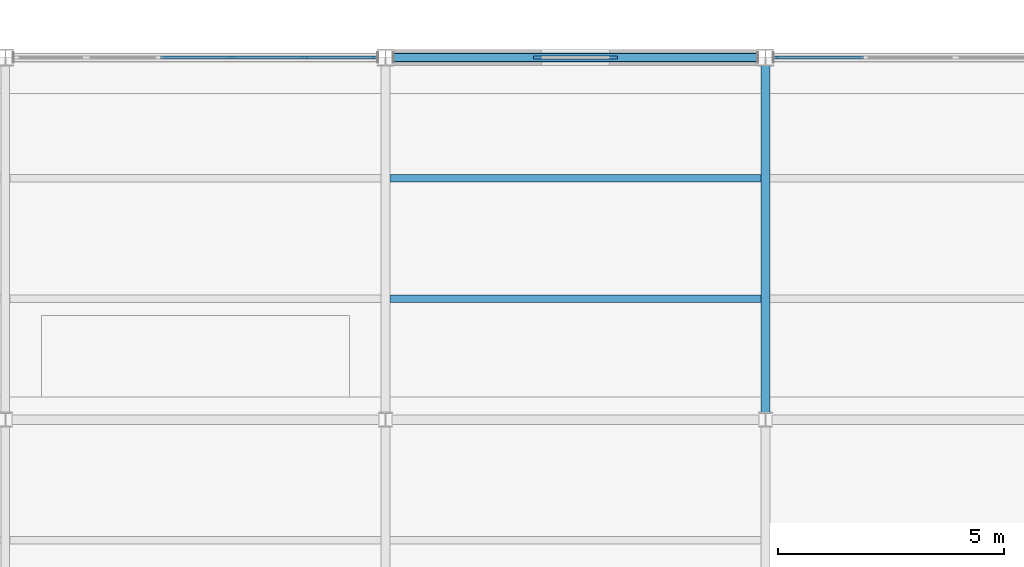
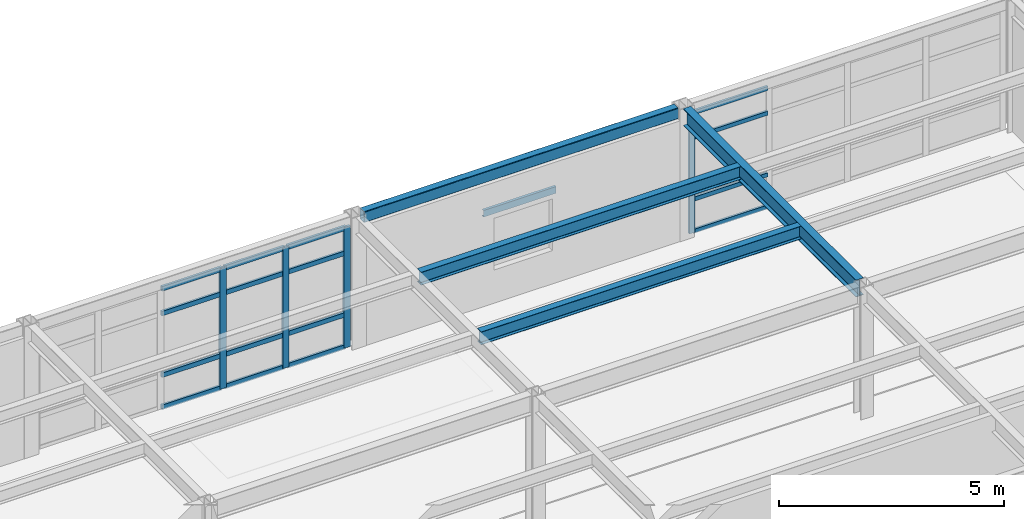
# One storey, part 29 of 96: 20 members, 5 beams, 2 elements without a shape of their own.
"""IFC4 building model written with IfcOpenShell, lengths in metres."""

from ifc_helpers import new_model, si_unit, direction, frame, origin, origin_2d, place, context, subcontext, project, spatial, rectangle, hollow_rectangle, i_section, u_section, extrude, material, layer, layer_set, material_profile, profile_set, type_object, element, aggregate, save


model = new_model("IFC4")

# Units and contexts
model_context = context("Model", 3, precision=1e-05, world=origin(), true_north=direction((0.0, 1.0)))
body_context = subcontext(model_context, "Body", "Model", "MODEL_VIEW")
ifc_project = project(units=[si_unit("LENGTHUNIT", "METRE"), si_unit("AREAUNIT", "SQUARE_METRE"), si_unit("VOLUMEUNIT", "CUBIC_METRE"), si_unit("PLANEANGLEUNIT", "RADIAN"), si_unit("MASSUNIT", "GRAM", prefix="KILO")], contexts=[model_context])

# Site, building, storey
site_placement = place(None, origin())
site = spatial("IfcSite", under=ifc_project, at=site_placement, CompositionType="ELEMENT")
building_placement = place(site_placement, origin())
building = spatial("IfcBuilding", under=site, at=building_placement, Name="Kranzveld Transit Interchange", CompositionType="ELEMENT")
storey_placement = place(building_placement, frame((0.0, 0.0, 9.52001953125)))
storey = spatial("IfcBuildingStorey", under=building, at=storey_placement, Name="L02", CompositionType="ELEMENT", Elevation=9.52001953125)

# Beam
ifc_material_1 = material(Name="Steel S355JR", Category="steel")
ifc_material_profile_1 = material_profile(ifc_material_1, i_section(OverallWidth=0.19189453125, OverallDepth=0.46337890625, WebThickness=0.010498046875, FlangeThickness=0.017578125, FilletRadius=0.01025390625, at=origin_2d()), Name="UB 457x191x89")
ifc_profile_set_1 = profile_set([ifc_material_profile_1], Name="Steel S355JR")
beam_type_1 = type_object("IfcBeamType", Name="Beam Steel UB 457x191x89 S355JR", PredefinedType="BEAM", material=ifc_profile_set_1)
beam_1_placement = place(storey_placement, frame((126.0, 104.159912109375, 3.33837890625), z_axis=(0.0, 1.0, 0.0), x_axis=(-1.0, 0.0, 0.0)))
element("IfcBeam", 1, at=beam_1_placement, inside=storey, type_object=beam_type_1, Name="L02 Girder 16/P-Q", PredefinedType="BEAM", context=body_context, shape_type="SweptSolid", body=[
    extrude(i_section(OverallWidth=0.19189453125, OverallDepth=0.46337890625, WebThickness=0.010498046875, FlangeThickness=0.017578125, FilletRadius=0.01025390625, at=origin_2d()), origin(), (0.0, 0.0, 1.0), 7.662841796875),
])

# Curtain wall, member
ifc_material_2 = material(Name="Bronze-anodised thermally broken aluminium", Category="aluminium")
ifc_layer_1 = layer(ifc_material_2, 0.159912109375)
ifc_layer_set_1 = layer_set([ifc_layer_1], Name="Bronze-anodised thermally broken aluminium")
curtain_wall_type_1 = type_object("IfcCurtainWallType", Name="Bus Boarding Glazed Screen CW-3", PredefinedType="USERDEFINED", material=ifc_layer_set_1)
curtain_wall_1_placement = place(storey_placement, origin())
curtain_wall_1 = element("IfcCurtainWall", 2, at=curtain_wall_1_placement, inside=storey, type_object=curtain_wall_type_1, Name="L02 Curtain Wall 16/Q-17/Q", ObjectType="CURTAIN WALL", PredefinedType="USERDEFINED")
ifc_material_3 = material(Name="Bronze-anodised thermally broken aluminium", Category="aluminium")
ifc_material_profile_2 = material_profile(ifc_material_3, rectangle(XDim=0.06005859375, YDim=0.14990234375, at=origin_2d()), Name="ALU MULLION 60x150")
ifc_profile_set_2 = profile_set([ifc_material_profile_2], Name="Bronze-anodised thermally broken aluminium")
member_type_1 = type_object("IfcMemberType", Name="Curtain Wall Mullion 60x150 Alu", PredefinedType="MULLION", material=ifc_profile_set_2)
member_1_placement = place(storey_placement, frame((126.21728515625, 112.0, 0.0), z_axis=(0.0, 0.0, 1.0), x_axis=(0.0, 1.0, 0.0)))
member_1 = element("IfcMember", 3, at=member_1_placement, type_object=member_type_1, Name="CW-3 mullion 1", PredefinedType="MULLION", context=body_context, shape_type="SweptSolid", body=[
    extrude(rectangle(XDim=0.06005859375, YDim=0.14990234375, at=origin_2d()), origin(), (0.0, 0.0, 1.0), 3.27001953125),
])

# Curtain wall, members
ifc_material_4 = material(Name="Bronze-anodised thermally broken aluminium", Category="aluminium")
ifc_layer_2 = layer(ifc_material_4, 0.1650390625)
ifc_layer_set_2 = layer_set([ifc_layer_2], Name="Bronze-anodised thermally broken aluminium")
curtain_wall_type_2 = type_object("IfcCurtainWallType", Name="Sunny Court Arcade Curtain Wall CW-2", PredefinedType="USERDEFINED", material=ifc_layer_set_2)
curtain_wall_2_placement = place(storey_placement, origin())
curtain_wall_2 = element("IfcCurtainWall", 4, at=curtain_wall_2_placement, inside=storey, type_object=curtain_wall_type_2, Name="L02 Curtain Wall 14/Q-15/Q", ObjectType="CURTAIN WALL", PredefinedType="USERDEFINED")
ifc_material_5 = material(Name="Bronze-anodised thermally broken aluminium", Category="aluminium")
ifc_material_profile_3 = material_profile(ifc_material_5, rectangle(XDim=0.06494140625, YDim=0.1650390625, at=origin_2d()), Name="ALU MULLION 65x165")
ifc_profile_set_3 = profile_set([ifc_material_profile_3], Name="Bronze-anodised thermally broken aluminium")
member_type_2 = type_object("IfcMemberType", Name="Curtain Wall Mullion 65x165 Alu", PredefinedType="MULLION", material=ifc_profile_set_3)
member_2_placement = place(storey_placement, frame((114.20263671875, 112.0, 0.0), z_axis=(0.0, 0.0, 1.0), x_axis=(0.0, 1.0, 0.0)))
member_2 = element("IfcMember", 5, at=member_2_placement, type_object=member_type_2, Name="CW-2 mullion 4", PredefinedType="MULLION", context=body_context, shape_type="SweptSolid", body=[
    extrude(rectangle(XDim=0.06494140625, YDim=0.1650390625, at=origin_2d()), origin(), (0.0, 0.0, 1.0), 3.27001953125),
])
member_3_placement = place(storey_placement, frame((115.8076171875, 112.0, 0.0), z_axis=(0.0, 0.0, 1.0), x_axis=(0.0, 1.0, 0.0)))
member_3 = element("IfcMember", 6, at=member_3_placement, type_object=member_type_2, Name="CW-2 mullion 5", PredefinedType="MULLION", context=body_context, shape_type="SweptSolid", body=[
    extrude(rectangle(XDim=0.06494140625, YDim=0.1650390625, at=origin_2d()), origin(), (0.0, 0.0, 1.0), 3.27001953125),
])
member_4_placement = place(storey_placement, frame((117.380126953125, 112.0, 0.0), z_axis=(0.0, 0.0, 1.0), x_axis=(0.0, 1.0, 0.0)))
member_4 = element("IfcMember", 7, at=member_4_placement, type_object=member_type_2, Name="CW-2 mullion 6", PredefinedType="MULLION", context=body_context, shape_type="SweptSolid", body=[
    extrude(rectangle(XDim=0.06494140625, YDim=0.1650390625, at=origin_2d()), origin(), (0.0, 0.0, 1.0), 3.27001953125),
])

# Member
ifc_material_6 = material(Name="Bronze-anodised thermally broken aluminium", Category="aluminium")
ifc_material_profile_4 = material_profile(ifc_material_6, rectangle(XDim=0.06005859375, YDim=0.110107421875, at=origin_2d()), Name="ALU TRANSOM 60x110")
ifc_profile_set_4 = profile_set([ifc_material_profile_4], Name="Bronze-anodised thermally broken aluminium")
member_type_3 = type_object("IfcMemberType", Name="Curtain Wall Transom 60x110 Alu", PredefinedType="USERDEFINED", material=ifc_profile_set_4)
member_5_placement = place(storey_placement, frame((126.247314453125, 112.0, 0.030029296875), z_axis=(1.0, 0.0, 0.0), x_axis=(0.0, 1.0, 0.0)))
member_5 = element("IfcMember", 8, at=member_5_placement, type_object=member_type_3, Name="CW-3 transom 1.1", ObjectType="TRANSOM", PredefinedType="USERDEFINED", context=body_context, shape_type="SweptSolid", body=[
    extrude(rectangle(XDim=0.06005859375, YDim=0.110107421875, at=origin_2d()), origin(), (0.0, 0.0, 1.0), 1.916259765625),
])

member_6_placement = place(storey_placement, frame((126.247314453125, 112.0, 0.89990234375), z_axis=(1.0, 0.0, 0.0), x_axis=(0.0, 1.0, 0.0)))
member_6 = element("IfcMember", 9, at=member_6_placement, type_object=member_type_3, Name="CW-3 transom 1.2", ObjectType="TRANSOM", PredefinedType="USERDEFINED", context=body_context, shape_type="SweptSolid", body=[
    extrude(rectangle(XDim=0.06005859375, YDim=0.110107421875, at=origin_2d()), origin(), (0.0, 0.0, 1.0), 1.916259765625),
])

member_7_placement = place(storey_placement, frame((126.247314453125, 112.0, 2.570068359375), z_axis=(1.0, 0.0, 0.0), x_axis=(0.0, 1.0, 0.0)))
member_7 = element("IfcMember", 10, at=member_7_placement, type_object=member_type_3, Name="CW-3 transom 1.3", ObjectType="TRANSOM", PredefinedType="USERDEFINED", context=body_context, shape_type="SweptSolid", body=[
    extrude(rectangle(XDim=0.06005859375, YDim=0.110107421875, at=origin_2d()), origin(), (0.0, 0.0, 1.0), 1.916259765625),
])

member_8_placement = place(storey_placement, frame((126.247314453125, 112.0, 3.239990234375), z_axis=(1.0, 0.0, 0.0), x_axis=(0.0, 1.0, 0.0)))
member_8 = element("IfcMember", 11, at=member_8_placement, type_object=member_type_3, Name="CW-3 transom 1.4", ObjectType="TRANSOM", PredefinedType="USERDEFINED", context=body_context, shape_type="SweptSolid", body=[
    extrude(rectangle(XDim=0.06005859375, YDim=0.110107421875, at=origin_2d()), origin(), (0.0, 0.0, 1.0), 1.916259765625),
])

aggregate(curtain_wall_1, [member_1, member_5, member_6, member_7, member_8])

ifc_material_7 = material(Name="Bronze-anodised thermally broken aluminium", Category="aluminium")
ifc_material_profile_5 = material_profile(ifc_material_7, rectangle(XDim=0.06005859375, YDim=0.125, at=origin_2d()), Name="ALU TRANSOM 60x125")
ifc_profile_set_5 = profile_set([ifc_material_profile_5], Name="Bronze-anodised thermally broken aluminium")
member_type_4 = type_object("IfcMemberType", Name="Curtain Wall Transom 60x125 Alu", PredefinedType="USERDEFINED", material=ifc_profile_set_5)
member_9_placement = place(storey_placement, frame((112.6298828125, 112.0, 0.030029296875), z_axis=(1.0, 0.0, 0.0), x_axis=(0.0, 1.0, 0.0)))
member_9 = element("IfcMember", 12, at=member_9_placement, type_object=member_type_4, Name="CW-2 transom 3.1", ObjectType="TRANSOM", PredefinedType="USERDEFINED", context=body_context, shape_type="SweptSolid", body=[
    extrude(rectangle(XDim=0.06005859375, YDim=0.125, at=origin_2d()), origin(), (0.0, 0.0, 1.0), 1.5400390625),
])

member_10_placement = place(storey_placement, frame((112.6298828125, 112.0, 0.89990234375), z_axis=(1.0, 0.0, 0.0), x_axis=(0.0, 1.0, 0.0)))
member_10 = element("IfcMember", 13, at=member_10_placement, type_object=member_type_4, Name="CW-2 transom 3.2", ObjectType="TRANSOM", PredefinedType="USERDEFINED", context=body_context, shape_type="SweptSolid", body=[
    extrude(rectangle(XDim=0.06005859375, YDim=0.125, at=origin_2d()), origin(), (0.0, 0.0, 1.0), 1.5400390625),
])

member_11_placement = place(storey_placement, frame((112.6298828125, 112.0, 2.570068359375), z_axis=(1.0, 0.0, 0.0), x_axis=(0.0, 1.0, 0.0)))
member_11 = element("IfcMember", 14, at=member_11_placement, type_object=member_type_4, Name="CW-2 transom 3.3", ObjectType="TRANSOM", PredefinedType="USERDEFINED", context=body_context, shape_type="SweptSolid", body=[
    extrude(rectangle(XDim=0.06005859375, YDim=0.125, at=origin_2d()), origin(), (0.0, 0.0, 1.0), 1.5400390625),
])

member_12_placement = place(storey_placement, frame((112.6298828125, 112.0, 3.239990234375), z_axis=(1.0, 0.0, 0.0), x_axis=(0.0, 1.0, 0.0)))
member_12 = element("IfcMember", 15, at=member_12_placement, type_object=member_type_4, Name="CW-2 transom 3.4", ObjectType="TRANSOM", PredefinedType="USERDEFINED", context=body_context, shape_type="SweptSolid", body=[
    extrude(rectangle(XDim=0.06005859375, YDim=0.125, at=origin_2d()), origin(), (0.0, 0.0, 1.0), 1.5400390625),
])

member_13_placement = place(storey_placement, frame((114.235107421875, 112.0, 0.030029296875), z_axis=(1.0, 0.0, 0.0), x_axis=(0.0, 1.0, 0.0)))
member_13 = element("IfcMember", 16, at=member_13_placement, type_object=member_type_4, Name="CW-2 transom 4.1", ObjectType="TRANSOM", PredefinedType="USERDEFINED", context=body_context, shape_type="SweptSolid", body=[
    extrude(rectangle(XDim=0.06005859375, YDim=0.125, at=origin_2d()), origin(), (0.0, 0.0, 1.0), 1.5400390625),
])

member_14_placement = place(storey_placement, frame((114.235107421875, 112.0, 0.89990234375), z_axis=(1.0, 0.0, 0.0), x_axis=(0.0, 1.0, 0.0)))
member_14 = element("IfcMember", 17, at=member_14_placement, type_object=member_type_4, Name="CW-2 transom 4.2", ObjectType="TRANSOM", PredefinedType="USERDEFINED", context=body_context, shape_type="SweptSolid", body=[
    extrude(rectangle(XDim=0.06005859375, YDim=0.125, at=origin_2d()), origin(), (0.0, 0.0, 1.0), 1.5400390625),
])

member_15_placement = place(storey_placement, frame((114.235107421875, 112.0, 2.570068359375), z_axis=(1.0, 0.0, 0.0), x_axis=(0.0, 1.0, 0.0)))
member_15 = element("IfcMember", 18, at=member_15_placement, type_object=member_type_4, Name="CW-2 transom 4.3", ObjectType="TRANSOM", PredefinedType="USERDEFINED", context=body_context, shape_type="SweptSolid", body=[
    extrude(rectangle(XDim=0.06005859375, YDim=0.125, at=origin_2d()), origin(), (0.0, 0.0, 1.0), 1.5400390625),
])

member_16_placement = place(storey_placement, frame((114.235107421875, 112.0, 3.239990234375), z_axis=(1.0, 0.0, 0.0), x_axis=(0.0, 1.0, 0.0)))
member_16 = element("IfcMember", 19, at=member_16_placement, type_object=member_type_4, Name="CW-2 transom 4.4", ObjectType="TRANSOM", PredefinedType="USERDEFINED", context=body_context, shape_type="SweptSolid", body=[
    extrude(rectangle(XDim=0.06005859375, YDim=0.125, at=origin_2d()), origin(), (0.0, 0.0, 1.0), 1.5400390625),
])

member_17_placement = place(storey_placement, frame((115.840087890625, 112.0, 0.030029296875), z_axis=(1.0, 0.0, 0.0), x_axis=(0.0, 1.0, 0.0)))
member_17 = element("IfcMember", 20, at=member_17_placement, type_object=member_type_4, Name="CW-2 transom 5.1", ObjectType="TRANSOM", PredefinedType="USERDEFINED", context=body_context, shape_type="SweptSolid", body=[
    extrude(rectangle(XDim=0.06005859375, YDim=0.125, at=origin_2d()), origin(), (0.0, 0.0, 1.0), 1.507568359375),
])

member_18_placement = place(storey_placement, frame((115.840087890625, 112.0, 0.89990234375), z_axis=(1.0, 0.0, 0.0), x_axis=(0.0, 1.0, 0.0)))
member_18 = element("IfcMember", 21, at=member_18_placement, type_object=member_type_4, Name="CW-2 transom 5.2", ObjectType="TRANSOM", PredefinedType="USERDEFINED", context=body_context, shape_type="SweptSolid", body=[
    extrude(rectangle(XDim=0.06005859375, YDim=0.125, at=origin_2d()), origin(), (0.0, 0.0, 1.0), 1.507568359375),
])

member_19_placement = place(storey_placement, frame((115.840087890625, 112.0, 2.570068359375), z_axis=(1.0, 0.0, 0.0), x_axis=(0.0, 1.0, 0.0)))
member_19 = element("IfcMember", 22, at=member_19_placement, type_object=member_type_4, Name="CW-2 transom 5.3", ObjectType="TRANSOM", PredefinedType="USERDEFINED", context=body_context, shape_type="SweptSolid", body=[
    extrude(rectangle(XDim=0.06005859375, YDim=0.125, at=origin_2d()), origin(), (0.0, 0.0, 1.0), 1.507568359375),
])

member_20_placement = place(storey_placement, frame((115.840087890625, 112.0, 3.239990234375), z_axis=(1.0, 0.0, 0.0), x_axis=(0.0, 1.0, 0.0)))
member_20 = element("IfcMember", 23, at=member_20_placement, type_object=member_type_4, Name="CW-2 transom 5.4", ObjectType="TRANSOM", PredefinedType="USERDEFINED", context=body_context, shape_type="SweptSolid", body=[
    extrude(rectangle(XDim=0.06005859375, YDim=0.125, at=origin_2d()), origin(), (0.0, 0.0, 1.0), 1.507568359375),
])

aggregate(curtain_wall_2, [member_2, member_3, member_4, member_9, member_10, member_11, member_12, member_13, member_14, member_15, member_16, member_17, member_18, member_19, member_20])

# Beams
ifc_material_8 = material(Name="Steel S355JR", Category="steel")
ifc_material_profile_6 = material_profile(ifc_material_8, hollow_rectangle(XDim=0.199951171875, YDim=0.300048828125, WallThickness=0.010009765625, InnerFilletRadius=0.014892578125, OuterFilletRadius=0.02490234375, at=origin_2d()), Name="RHS 300x200x10")
ifc_profile_set_6 = profile_set([ifc_material_profile_6], Name="Steel S355JR")
beam_type_2 = type_object("IfcBeamType", Name="Edge Spandrel RHS 300x200x10 S355JR", PredefinedType="SPANDREL", material=ifc_profile_set_6)
beam_2_placement = place(storey_placement, frame((117.77734375, 112.0, 3.419921875), z_axis=(1.0, 0.0, 0.0), x_axis=(0.0, 1.0, 0.0)))
element("IfcBeam", 24, at=beam_2_placement, inside=storey, type_object=beam_type_2, Name="L02 Girder 15-16/Q", PredefinedType="SPANDREL", context=body_context, shape_type="SweptSolid", body=[
    extrude(hollow_rectangle(XDim=0.199951171875, YDim=0.300048828125, WallThickness=0.010009765625, InnerFilletRadius=0.014892578125, OuterFilletRadius=0.02490234375, at=origin_2d()), origin(), (0.0, 0.0, 1.0), 8.04541015625),
])
ifc_material_9 = material(Name="Steel S355JR", Category="steel")
ifc_material_profile_7 = material_profile(ifc_material_9, i_section(OverallWidth=0.171142578125, OverallDepth=0.351318359375, WebThickness=0.007080078125, FlangeThickness=0.009765625, FilletRadius=0.01025390625, at=origin_2d()), Name="UB 356x171x45")
ifc_profile_set_7 = profile_set([ifc_material_profile_7], Name="Steel S355JR")
beam_type_3 = type_object("IfcBeamType", Name="Floor Joist UB 356x171x45 S355JR", PredefinedType="JOIST", material=ifc_profile_set_7)
for number, where, z_axis, x_axis, name in (
    (25, (117.697998046875, 106.666748046875, 3.394287109375), (1.0, 0.0, 0.0), (0.0, 1.0, 0.0), "L02 Secondary Joist 15-16/P.1"),
    (26, (117.697998046875, 109.333251953125, 3.394287109375), (1.0, 0.0, 0.0), (0.0, 1.0, 0.0), "L02 Secondary Joist 15-16/P.2"),
):
    element("IfcBeam", number, at=place(storey_placement, frame(where, z_axis=z_axis, x_axis=x_axis)), inside=storey, type_object=beam_type_3, Name=name, PredefinedType="JOIST", context=body_context, shape_type="SweptSolid", body=[
        extrude(i_section(OverallWidth=0.171142578125, OverallDepth=0.351318359375, WebThickness=0.007080078125, FlangeThickness=0.009765625, FilletRadius=0.01025390625, at=origin_2d()), origin(), (0.0, 0.0, 1.0), 8.2041015625),
    ])
ifc_material_10 = material(Name="Steel S355JR", Category="steel")
ifc_material_profile_8 = material_profile(ifc_material_10, u_section(Depth=0.179931640625, FlangeWidth=0.070068359375, WebThickness=0.007080078125, FlangeThickness=0.010986328125, FilletRadius=0.010009765625, at=origin_2d()), Name="PFC 180x70x22")
ifc_profile_set_8 = profile_set([ifc_material_profile_8], Name="Steel S355JR")
beam_type_4 = type_object("IfcBeamType", Name="Masonry Lintel PFC 180x70x22 S355JR", PredefinedType="LINTEL", material=ifc_profile_set_8)
beam_3_placement = place(storey_placement, frame((120.8701171875, 112.0, 2.39501953125), z_axis=(1.0, 0.0, 0.0), x_axis=(0.0, 1.0, 0.0)))
element("IfcBeam", 27, at=beam_3_placement, inside=storey, type_object=beam_type_4, Name="L02 Window Lintel 133", PredefinedType="LINTEL", context=body_context, shape_type="SweptSolid", body=[
    extrude(u_section(Depth=0.179931640625, FlangeWidth=0.070068359375, WebThickness=0.007080078125, FlangeThickness=0.010986328125, FilletRadius=0.010009765625, at=origin_2d()), origin(), (0.0, 0.0, 1.0), 1.85986328125),
])

save(model, "model.ifc")
